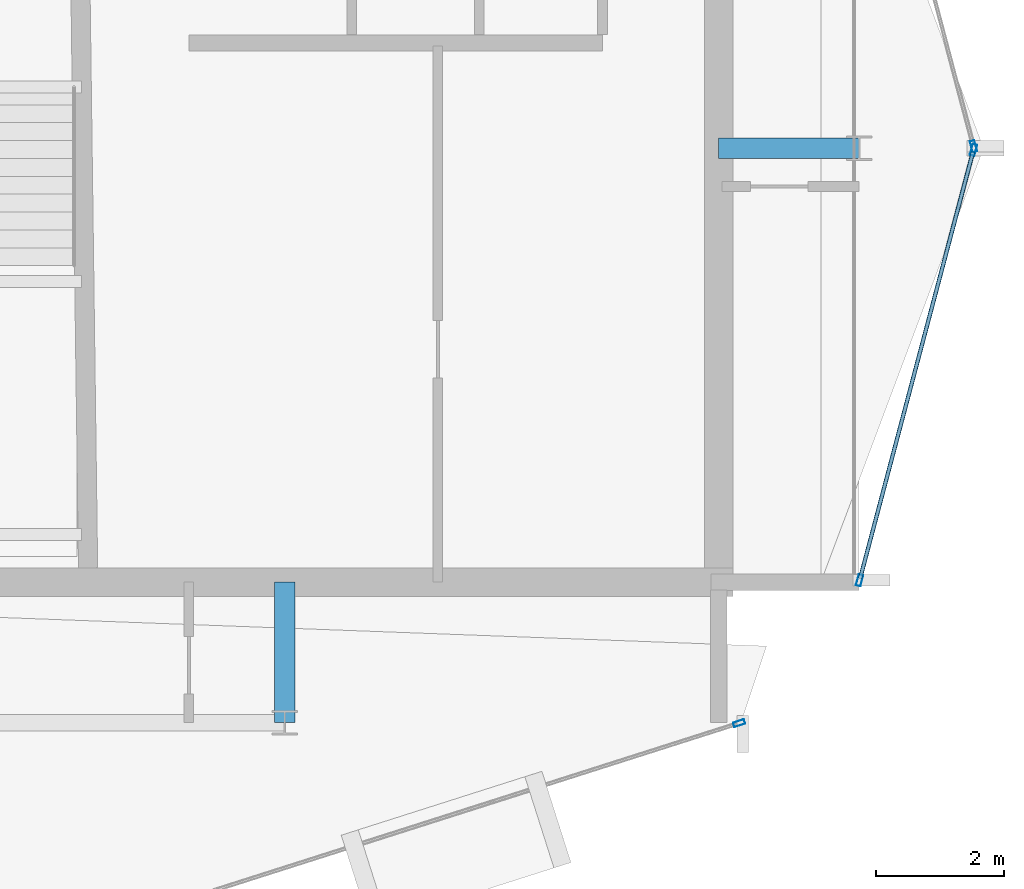
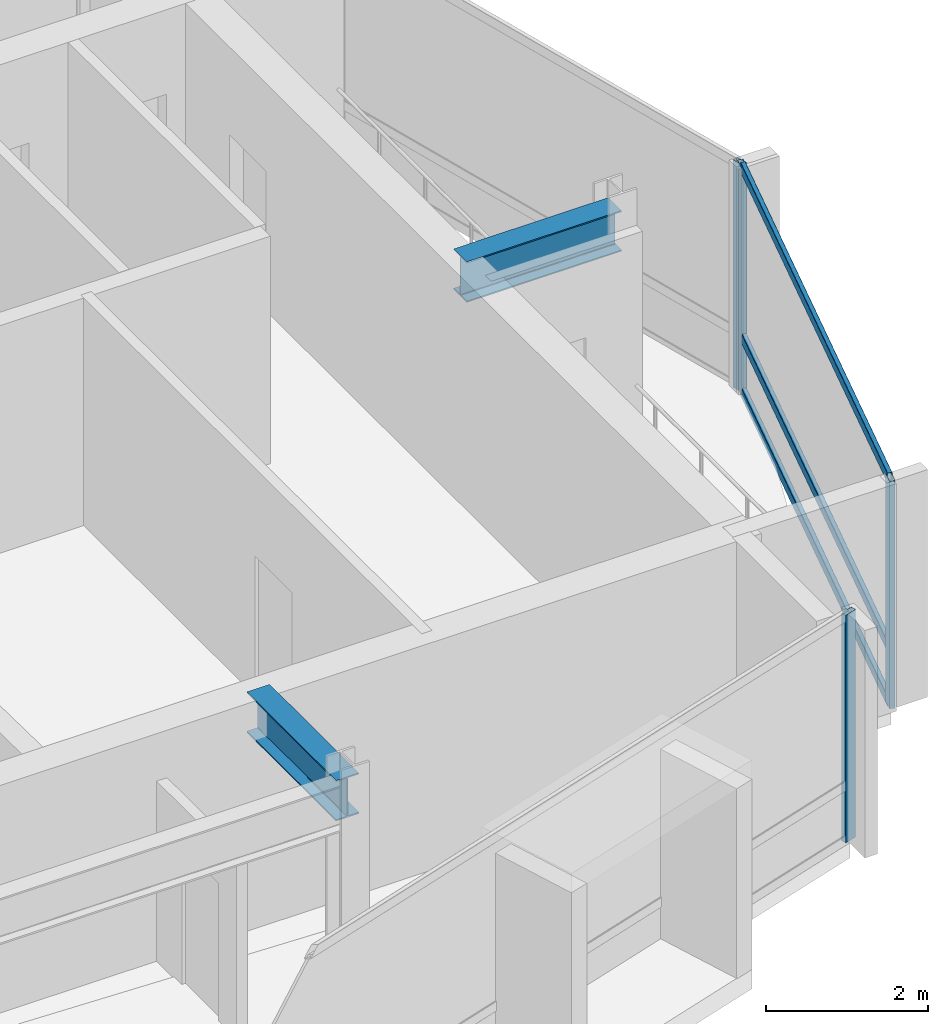
# One storey, part 9 of 19: 7 members, 2 beams, 3 elements without a shape of their own.
"""IFC4 building model written with IfcOpenShell, lengths in metres."""

from ifc_helpers import new_model, si_unit, direction, frame, origin, origin_2d, place, context, subcontext, project, spatial, hollow_rectangle, i_section, extrude, material, layer, layer_set, material_profile, profile_set, type_object, element, aggregate, save


model = new_model("IFC4")

# Units and contexts
model_context = context("Model", 3, precision=1e-05, world=origin(), true_north=direction((0.0, 1.0)))
body_context = subcontext(model_context, "Body", "Model", "MODEL_VIEW")
ifc_project = project(units=[si_unit("LENGTHUNIT", "METRE"), si_unit("AREAUNIT", "SQUARE_METRE"), si_unit("VOLUMEUNIT", "CUBIC_METRE"), si_unit("PLANEANGLEUNIT", "RADIAN"), si_unit("MASSUNIT", "GRAM", prefix="KILO")], contexts=[model_context])

# Site, building, storey
site_placement = place(None, origin())
site = spatial("IfcSite", under=ifc_project, at=site_placement, CompositionType="ELEMENT")
building_placement = place(site_placement, origin())
building = spatial("IfcBuilding", under=site, at=building_placement, Name="Solvaryn Broadcast Tower", CompositionType="ELEMENT")
storey_placement = place(building_placement, frame((0.0, 0.0, 251.89990234375)))
storey = spatial("IfcBuildingStorey", under=building, at=storey_placement, Name="L63", CompositionType="ELEMENT", Elevation=251.89990234375)

# Beams
ifc_material_1 = material(Name="Steel ASTM A992 Grade 50", Category="steel")
ifc_material_profile_1 = material_profile(ifc_material_1, i_section(OverallWidth=0.323974609375, OverallDepth=0.611083984375, WebThickness=0.0126953125, FlangeThickness=0.01904296875, FilletRadius=0.014892578125, at=origin_2d()))
ifc_profile_set_1 = profile_set([ifc_material_profile_1], Name="Steel ASTM A992 Grade 50")
beam_type = type_object("IfcBeamType", Name="BM-B1-W24X104", PredefinedType="BEAM", material=ifc_profile_set_1)
for number, where, z_axis, x_axis, name in (
    (1, (36.0, 9.0, 3.114501953125), (0.0, 1.0, 0.0), (-1.0, 0.0, 0.0), "L63 Core Tie Beam CTE1"),
    (2, (42.800048828125, 18.0, 3.114501953125), (1.0, 0.0, 0.0), (0.0, 1.0, 0.0), "L63 Core Tie Beam CTE3"),
):
    element("IfcBeam", number, at=place(storey_placement, frame(where, z_axis=z_axis, x_axis=x_axis)), inside=storey, type_object=beam_type, Name=name, PredefinedType="BEAM", context=body_context, shape_type="SweptSolid", body=[
        extrude(i_section(OverallWidth=0.323974609375, OverallDepth=0.611083984375, WebThickness=0.0126953125, FlangeThickness=0.01904296875, FilletRadius=0.014892578125, at=origin_2d()), origin(), (0.0, 0.0, 1.0), 2.199951171875),
    ])

# Curtain wall, member
ifc_material_2 = material(Name="Aluminium and Terracotta Unitised Curtain Wall", Category="masonry")
ifc_layer = layer(ifc_material_2, 0.199951171875)
ifc_layer_set = layer_set([ifc_layer], Name="CW-SYS2-LOWMID")
curtain_wall_type = type_object("IfcCurtainWallType", Name="CW-SYS2-LOWMID", PredefinedType="NOTDEFINED", material=ifc_layer_set)
curtain_wall_1_placement = place(storey_placement, origin())
curtain_wall_1 = element("IfcCurtainWall", 3, at=curtain_wall_1_placement, inside=storey, type_object=curtain_wall_type, Name="L63 Curtain Wall DR4", PredefinedType="NOTDEFINED")
ifc_material_3 = material(Name="Anodised Aluminium 6063-T6", Category="aluminium")
ifc_material_profile_2 = material_profile(ifc_material_3, hollow_rectangle(XDim=0.074951171875, YDim=0.179931640625, WallThickness=0.00390625, InnerFilletRadius=0.00390625, OuterFilletRadius=0.008056640625, at=origin_2d()))
ifc_profile_set_2 = profile_set([ifc_material_profile_2], Name="Anodised Aluminium 6063-T6")
member_type_1 = type_object("IfcMemberType", Name="CW-MUL-180", PredefinedType="MULLION", material=ifc_profile_set_2)
member_1_placement = place(storey_placement, frame((43.120361328125, 8.990966796875, 0.0), z_axis=(0.0, 0.0, 1.0), x_axis=(-0.30361564569, 0.952794594701, 0.0)))
member_1 = element("IfcMember", 4, at=member_1_placement, type_object=member_type_1, Name="CWS2 mullion 2", PredefinedType="MULLION", context=body_context, shape_type="SweptSolid", body=[
    extrude(hollow_rectangle(XDim=0.074951171875, YDim=0.179931640625, WallThickness=0.00390625, InnerFilletRadius=0.00390625, OuterFilletRadius=0.008056640625, at=origin_2d()), origin(), (0.0, 0.0, 1.0), 3.420166015625),
])
aggregate(curtain_wall_1, [member_1])

curtain_wall_2_placement = place(storey_placement, origin())
curtain_wall_2 = element("IfcCurtainWall", 5, at=curtain_wall_2_placement, inside=storey, type_object=curtain_wall_type, Name="L63 Curtain Wall ET1", PredefinedType="NOTDEFINED")
member_2_placement = place(storey_placement, frame((46.792236328125, 18.029052734375, 0.0), z_axis=(0.0, 0.0, 1.0), x_axis=(0.966705227863, 0.25589256031, 0.0)))
member_2 = element("IfcMember", 6, at=member_2_placement, type_object=member_type_1, Name="CWS2 mullion 2", PredefinedType="MULLION", context=body_context, shape_type="SweptSolid", body=[
    extrude(hollow_rectangle(XDim=0.074951171875, YDim=0.179931640625, WallThickness=0.00390625, InnerFilletRadius=0.00390625, OuterFilletRadius=0.008056640625, at=origin_2d()), origin(), (0.0, 0.0, 1.0), 3.420166015625),
])
aggregate(curtain_wall_2, [member_2])

# Curtain wall, members
curtain_wall_3_placement = place(storey_placement, origin())
curtain_wall_3 = element("IfcCurtainWall", 7, at=curtain_wall_3_placement, inside=storey, type_object=curtain_wall_type, Name="L63 Curtain Wall ET2", PredefinedType="NOTDEFINED")
member_3_placement = place(storey_placement, frame((46.792236328125, 17.970947265625, 0.0), z_axis=(0.0, 0.0, 1.0), x_axis=(0.966705227863, -0.25589256031, 0.0)))
member_3 = element("IfcMember", 8, at=member_3_placement, type_object=member_type_1, Name="CWS2 mullion 1", PredefinedType="MULLION", context=body_context, shape_type="SweptSolid", body=[
    extrude(hollow_rectangle(XDim=0.074951171875, YDim=0.179931640625, WallThickness=0.00390625, InnerFilletRadius=0.00390625, OuterFilletRadius=0.008056640625, at=origin_2d()), origin(), (0.0, 0.0, 1.0), 3.420166015625),
])
member_4_placement = place(storey_placement, frame((45.007568359375, 11.22900390625, 0.0), z_axis=(0.0, 0.0, 1.0), x_axis=(0.966705227863, -0.25589256031, 0.0)))
member_4 = element("IfcMember", 9, at=member_4_placement, type_object=member_type_1, Name="CWS2 mullion 2", PredefinedType="MULLION", context=body_context, shape_type="SweptSolid", body=[
    extrude(hollow_rectangle(XDim=0.074951171875, YDim=0.179931640625, WallThickness=0.00390625, InnerFilletRadius=0.00390625, OuterFilletRadius=0.008056640625, at=origin_2d()), origin(), (0.0, 0.0, 1.0), 3.420166015625),
])
ifc_material_4 = material(Name="Anodised Aluminium 6063-T6", Category="aluminium")
ifc_material_profile_3 = material_profile(ifc_material_4, hollow_rectangle(XDim=0.06494140625, YDim=0.14990234375, WallThickness=0.00390625, InnerFilletRadius=0.00390625, OuterFilletRadius=0.008056640625, at=origin_2d()))
ifc_profile_set_3 = profile_set([ifc_material_profile_3], Name="Anodised Aluminium 6063-T6")
member_type_2 = type_object("IfcMemberType", Name="CW-TRN-150", PredefinedType="USERDEFINED", material=ifc_profile_set_3)
member_5_placement = place(storey_placement, frame((46.78466796875, 17.94189453125, 0.030029296875), z_axis=(-0.255897413051, -0.966703943301, 0.0), x_axis=(0.966703943301, -0.255897413051, 0.0)))
member_5 = element("IfcMember", 10, at=member_5_placement, type_object=member_type_2, Name="CWS2 transom 1.1", ObjectType="TRANSOM", PredefinedType="USERDEFINED", context=body_context, shape_type="SweptSolid", body=[
    extrude(hollow_rectangle(XDim=0.06494140625, YDim=0.14990234375, WallThickness=0.00390625, InnerFilletRadius=0.00390625, OuterFilletRadius=0.008056640625, at=origin_2d()), origin(), (0.0, 0.0, 1.0), 6.9140625),
])
member_6_placement = place(storey_placement, frame((46.78466796875, 17.94189453125, 0.85009765625), z_axis=(-0.255897413051, -0.966703943301, 0.0), x_axis=(0.966703943301, -0.255897413051, 0.0)))
member_6 = element("IfcMember", 11, at=member_6_placement, type_object=member_type_2, Name="CWS2 transom 1.2", ObjectType="TRANSOM", PredefinedType="USERDEFINED", context=body_context, shape_type="SweptSolid", body=[
    extrude(hollow_rectangle(XDim=0.06494140625, YDim=0.14990234375, WallThickness=0.00390625, InnerFilletRadius=0.00390625, OuterFilletRadius=0.008056640625, at=origin_2d()), origin(), (0.0, 0.0, 1.0), 6.9140625),
])
member_7_placement = place(storey_placement, frame((46.78466796875, 17.94189453125, 3.39013671875), z_axis=(-0.255897413051, -0.966703943301, 0.0), x_axis=(0.966703943301, -0.255897413051, 0.0)))
member_7 = element("IfcMember", 12, at=member_7_placement, type_object=member_type_2, Name="CWS2 transom 1.3", ObjectType="TRANSOM", PredefinedType="USERDEFINED", context=body_context, shape_type="SweptSolid", body=[
    extrude(hollow_rectangle(XDim=0.06494140625, YDim=0.14990234375, WallThickness=0.00390625, InnerFilletRadius=0.00390625, OuterFilletRadius=0.008056640625, at=origin_2d()), origin(), (0.0, 0.0, 1.0), 6.9140625),
])
aggregate(curtain_wall_3, [member_3, member_4, member_5, member_6, member_7])

save(model, "model.ifc")
